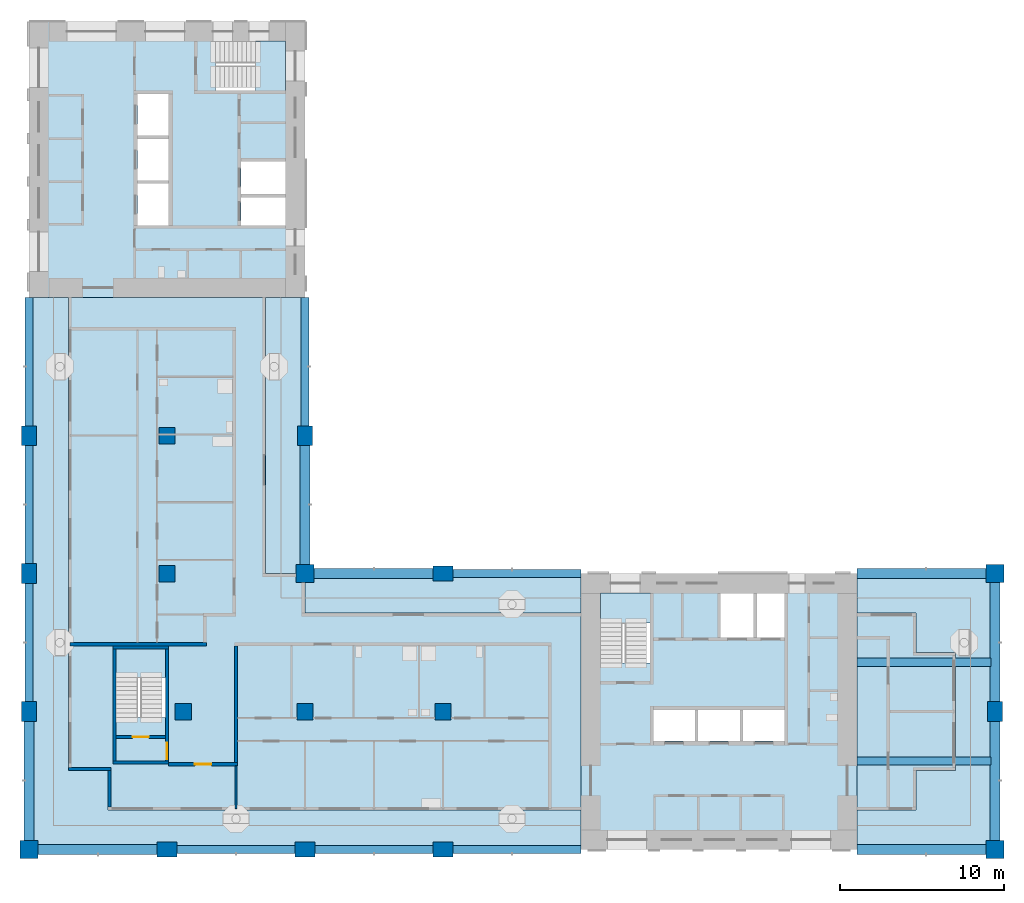
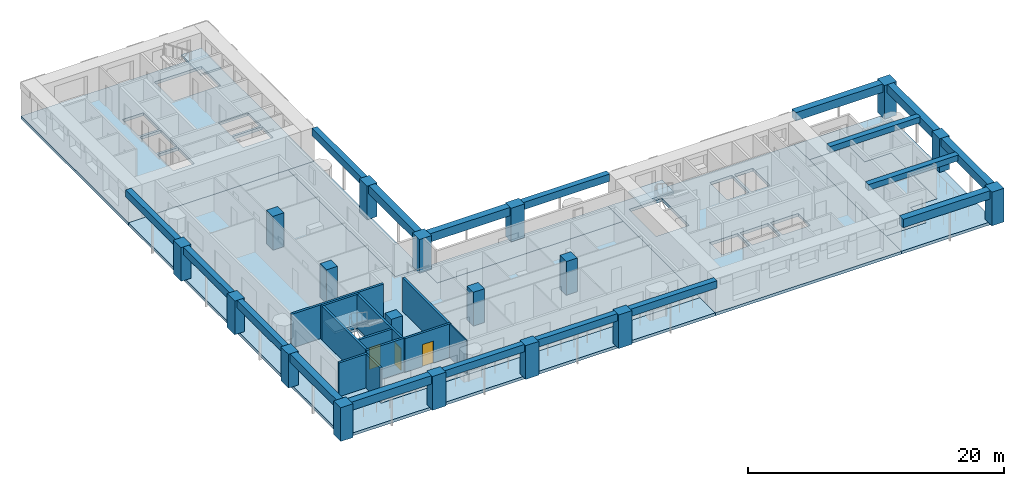
# One storey, part 1 of 13: 18 beams, 18 columns, 12 slabs, 11 walls, 3 doors, 3 openings, 3 elements without a shape of their own.
"""IFC4 building model written with IfcOpenShell, lengths in metres."""

from ifc_helpers import new_model, si_unit, direction, frame, frame_2d, origin, origin_2d, place, context, subcontext, project, spatial, polyline, rectangle, outline, extrude, material, layer, layer_set, material_profile, profile_set, type_object, element, fill, aggregate, save


model = new_model("IFC4")

# Units and contexts
model_context = context("Model", 3, precision=1e-05, world=origin(), true_north=direction((0.0, 1.0)))
body_context = subcontext(model_context, "Body", "Model", "MODEL_VIEW")
ifc_project = project(units=[si_unit("LENGTHUNIT", "METRE"), si_unit("AREAUNIT", "SQUARE_METRE"), si_unit("VOLUMEUNIT", "CUBIC_METRE"), si_unit("PLANEANGLEUNIT", "RADIAN"), si_unit("MASSUNIT", "GRAM", prefix="KILO")], contexts=[model_context])

# Site, building, storey
site_placement = place(None, origin())
site = spatial("IfcSite", under=ifc_project, at=site_placement, CompositionType="ELEMENT")
building_placement = place(site_placement, origin())
building = spatial("IfcBuilding", under=site, at=building_placement, Name="Vermilion Gate Residences", CompositionType="ELEMENT")
storey_placement = place(building_placement, frame((0.0, 0.0, 189.699951171875)))
storey = spatial("IfcBuildingStorey", under=building, at=storey_placement, Name="L49", CompositionType="ELEMENT", Elevation=189.699951171875)

# Columns
ifc_material_1 = material(Name="Concrete C60", Category="concrete")
ifc_material_profile_1 = material_profile(ifc_material_1, rectangle(XDim=1.0, YDim=1.0, at=origin_2d()), Name="RC-1000x1000")
ifc_profile_set_1 = profile_set([ifc_material_profile_1], Name="Concrete C60")
column_type_1 = type_object("IfcColumnType", Name="RC COLUMN 1000 X 1000 C60", PredefinedType="COLUMN", material=ifc_profile_set_1)
for number, where, z_axis, x_axis, name in (
    (1, (17.800048828125, 16.800048828125, 0.0), (0.0, 0.0, 1.0), (1.0, 0.0, 0.0), "Column 3-C L49"),
    (2, (16.800048828125, 25.199951171875, 0.0), (0.0, 0.0, 1.0), (1.0, 0.0, 0.0), "Column 3-D L49"),
    (3, (16.800048828125, 33.60009765625, 0.0), (0.0, 0.0, 1.0), (1.0, 0.0, 0.0), "Column 3-E L49"),
    (4, (25.199951171875, 16.800048828125, 0.0), (0.0, 0.0, 1.0), (1.0, 0.0, 0.0), "Column 4-C L49"),
    (5, (33.60009765625, 16.800048828125, 0.0), (0.0, 0.0, 1.0), (1.0, 0.0, 0.0), "Column 5-C L49"),
):
    element("IfcColumn", number, at=place(storey_placement, frame(where, z_axis=z_axis, x_axis=x_axis)), inside=storey, type_object=column_type_1, Name=name, PredefinedType="COLUMN", context=body_context, shape_type="SweptSolid", body=[
        extrude(rectangle(XDim=1.0, YDim=1.0, at=origin_2d()), origin(), (0.0, 0.0, 1.0), 3.219970703125),
    ])
ifc_material_2 = material(Name="Concrete C60", Category="concrete")
ifc_material_profile_2 = material_profile(ifc_material_2, rectangle(XDim=1.10009765625, YDim=1.10009765625, at=origin_2d()), Name="RC-1100x1100")
ifc_profile_set_2 = profile_set([ifc_material_profile_2], Name="Concrete C60")
column_type_2 = type_object("IfcColumnType", Name="RC COLUMN 1100 X 1100 C60", PredefinedType="COLUMN", material=ifc_profile_set_2)
for number, where, z_axis, x_axis, name in (
    (6, (8.39990234375, 8.39990234375, 0.0), (0.0, 0.0, 1.0), (1.0, 0.0, 0.0), "Column 2-B L49"),
    (7, (25.199951171875, 25.199951171875, 0.0), (0.0, 0.0, 1.0), (1.0, 0.0, 0.0), "Column 4-D L49"),
    (8, (67.199951171875, 8.39990234375, 0.0), (0.0, 0.0, 1.0), (1.0, 0.0, 0.0), "Column 9-B L49"),
    (9, (67.199951171875, 25.199951171875, 0.0), (0.0, 0.0, 1.0), (1.0, 0.0, 0.0), "Column 9-D L49"),
):
    element("IfcColumn", number, at=place(storey_placement, frame(where, z_axis=z_axis, x_axis=x_axis)), inside=storey, type_object=column_type_2, Name=name, PredefinedType="COLUMN", context=body_context, shape_type="SweptSolid", body=[
        extrude(rectangle(XDim=1.10009765625, YDim=1.10009765625, at=origin_2d()), origin(), (0.0, 0.0, 1.0), 3.219970703125),
    ])
ifc_material_3 = material(Name="Concrete C60", Category="concrete")
ifc_material_profile_3 = material_profile(ifc_material_3, rectangle(XDim=1.199951171875, YDim=0.89990234375, at=origin_2d()), Name="RC-1200x900")
ifc_profile_set_3 = profile_set([ifc_material_profile_3], Name="Concrete C60")
column_type_3 = type_object("IfcColumnType", Name="RC COLUMN 1200 X 900 C60", PredefinedType="COLUMN", material=ifc_profile_set_3)
for number, where, z_axis, x_axis, name in (
    (10, (8.39990234375, 16.800048828125, 0.0), (0.0, 0.0, 1.0), (0.0, 1.0, 0.0), "Column 2-C L49"),
    (11, (8.39990234375, 25.199951171875, 0.0), (0.0, 0.0, 1.0), (0.0, 1.0, 0.0), "Column 2-D L49"),
    (12, (8.39990234375, 33.60009765625, 0.0), (0.0, 0.0, 1.0), (0.0, 1.0, 0.0), "Column 2-E L49"),
    (13, (16.800048828125, 8.39990234375, 0.0), (0.0, 0.0, 1.0), (1.0, 0.0, 0.0), "Column 3-B L49"),
    (14, (25.199951171875, 8.39990234375, 0.0), (0.0, 0.0, 1.0), (1.0, 0.0, 0.0), "Column 4-B L49"),
    (15, (25.199951171875, 33.60009765625, 0.0), (0.0, 0.0, 1.0), (0.0, 1.0, 0.0), "Column 4-E L49"),
    (16, (33.60009765625, 8.39990234375, 0.0), (0.0, 0.0, 1.0), (1.0, 0.0, 0.0), "Column 5-B L49"),
    (17, (33.60009765625, 25.199951171875, 0.0), (0.0, 0.0, 1.0), (1.0, 0.0, 0.0), "Column 5-D L49"),
    (18, (67.199951171875, 16.800048828125, 0.0), (0.0, 0.0, 1.0), (0.0, 1.0, 0.0), "Column 9-C L49"),
):
    element("IfcColumn", number, at=place(storey_placement, frame(where, z_axis=z_axis, x_axis=x_axis)), inside=storey, type_object=column_type_3, Name=name, PredefinedType="COLUMN", context=body_context, shape_type="SweptSolid", body=[
        extrude(rectangle(XDim=1.199951171875, YDim=0.89990234375, at=origin_2d()), origin(), (0.0, 0.0, 1.0), 3.219970703125),
    ])

# Beams
ifc_material_4 = material(Name="Concrete C60 red-oxide pigmented", Category="concrete")
ifc_material_profile_4 = material_profile(ifc_material_4, rectangle(XDim=0.60009765625, YDim=0.800048828125, at=origin_2d()), Name="RC-600x800")
ifc_profile_set_4 = profile_set([ifc_material_profile_4], Name="Concrete C60 red-oxide pigmented")
beam_type_1 = type_object("IfcBeamType", Name="RC CORNER EDGE BEAM 600 X 800 C60", PredefinedType="BEAM", material=ifc_profile_set_4)
for number, where, z_axis, x_axis, name in (
    (19, (8.949951171875, 8.39990234375, 2.820068359375), (1.0, 0.0, 0.0), (0.0, 1.0, 0.0), "Corner edge beam L49 1"),
    (20, (8.39990234375, 8.949951171875, 2.820068359375), (0.0, 1.0, 0.0), (-1.0, 0.0, 0.0), "Corner edge beam L49 2"),
    (21, (25.199951171875, 25.75, 2.820068359375), (0.0, 1.0, 0.0), (-1.0, 0.0, 0.0), "Corner edge beam L49 7"),
    (22, (25.75, 25.199951171875, 2.820068359375), (1.0, 0.0, 0.0), (0.0, 1.0, 0.0), "Corner edge beam L49 10"),
):
    element("IfcBeam", number, at=place(storey_placement, frame(where, z_axis=z_axis, x_axis=x_axis)), inside=storey, type_object=beam_type_1, Name=name, PredefinedType="BEAM", context=body_context, shape_type="SweptSolid", body=[
        extrude(rectangle(XDim=0.60009765625, YDim=0.800048828125, at=origin_2d()), origin(), (0.0, 0.0, 1.0), 7.25),
    ])
beam_1_placement = place(storey_placement, frame((58.800048828125, 8.39990234375, 2.820068359375), z_axis=(1.0, 0.0, 0.0), x_axis=(0.0, 1.0, 0.0)))
element("IfcBeam", 23, at=beam_1_placement, inside=storey, type_object=beam_type_1, Name="Corner edge beam L49 13", PredefinedType="BEAM", context=body_context, shape_type="SweptSolid", body=[
    extrude(rectangle(XDim=0.60009765625, YDim=0.800048828125, at=origin_2d()), origin(), (0.0, 0.0, 1.0), 7.849853515625),
])
for number, where, z_axis, x_axis, name in (
    (24, (67.199951171875, 8.949951171875, 2.820068359375), (0.0, 1.0, 0.0), (-1.0, 0.0, 0.0), "Corner edge beam L49 14"),
    (25, (67.199951171875, 17.39990234375, 2.820068359375), (0.0, 1.0, 0.0), (-1.0, 0.0, 0.0), "Corner edge beam L49 15"),
):
    element("IfcBeam", number, at=place(storey_placement, frame(where, z_axis=z_axis, x_axis=x_axis)), inside=storey, type_object=beam_type_1, Name=name, PredefinedType="BEAM", context=body_context, shape_type="SweptSolid", body=[
        extrude(rectangle(XDim=0.60009765625, YDim=0.800048828125, at=origin_2d()), origin(), (0.0, 0.0, 1.0), 7.25),
    ])
beam_2_placement = place(storey_placement, frame((58.800048828125, 25.199951171875, 2.820068359375), z_axis=(1.0, 0.0, 0.0), x_axis=(0.0, 1.0, 0.0)))
element("IfcBeam", 26, at=beam_2_placement, inside=storey, type_object=beam_type_1, Name="Corner edge beam L49 16", PredefinedType="BEAM", context=body_context, shape_type="SweptSolid", body=[
    extrude(rectangle(XDim=0.60009765625, YDim=0.800048828125, at=origin_2d()), origin(), (0.0, 0.0, 1.0), 7.849853515625),
])
ifc_material_5 = material(Name="Concrete C60 red-oxide pigmented", Category="concrete")
ifc_material_profile_5 = material_profile(ifc_material_5, rectangle(XDim=0.5, YDim=0.699951171875, at=origin_2d()), Name="RC-500x700")
ifc_profile_set_5 = profile_set([ifc_material_profile_5], Name="Concrete C60 red-oxide pigmented")
beam_type_2 = type_object("IfcBeamType", Name="RC EDGE BEAM 500 X 700 C60", PredefinedType="BEAM", material=ifc_profile_set_5)
beam_3_placement = place(storey_placement, frame((8.39990234375, 17.39990234375, 2.8701171875), z_axis=(0.0, 1.0, 0.0), x_axis=(-1.0, 0.0, 0.0)))
element("IfcBeam", 27, at=beam_3_placement, inside=storey, type_object=beam_type_2, Name="Edge beam L49 3", PredefinedType="BEAM", context=body_context, shape_type="SweptSolid", body=[
    extrude(rectangle(XDim=0.5, YDim=0.699951171875, at=origin_2d()), origin(), (0.0, 0.0, 1.0), 7.2001953125),
])
beam_4_placement = place(storey_placement, frame((8.39990234375, 25.800048828125, 2.8701171875), z_axis=(0.0, 1.0, 0.0), x_axis=(-1.0, 0.0, 0.0)))
element("IfcBeam", 28, at=beam_4_placement, inside=storey, type_object=beam_type_2, Name="Edge beam L49 4", PredefinedType="BEAM", context=body_context, shape_type="SweptSolid", body=[
    extrude(rectangle(XDim=0.5, YDim=0.699951171875, at=origin_2d()), origin(), (0.0, 0.0, 1.0), 7.199951171875),
])
beam_5_placement = place(storey_placement, frame((8.39990234375, 34.199951171875, 2.8701171875), z_axis=(0.0, 1.0, 0.0), x_axis=(-1.0, 0.0, 0.0)))
element("IfcBeam", 29, at=beam_5_placement, inside=storey, type_object=beam_type_2, Name="Edge beam L49 5", PredefinedType="BEAM", context=body_context, shape_type="SweptSolid", body=[
    extrude(rectangle(XDim=0.5, YDim=0.699951171875, at=origin_2d()), origin(), (0.0, 0.0, 1.0), 7.800048828125),
])
beam_6_placement = place(storey_placement, frame((17.39990234375, 8.39990234375, 2.8701171875), z_axis=(1.0, 0.0, 0.0), x_axis=(0.0, 1.0, 0.0)))
element("IfcBeam", 30, at=beam_6_placement, inside=storey, type_object=beam_type_2, Name="Edge beam L49 6", PredefinedType="BEAM", context=body_context, shape_type="SweptSolid", body=[
    extrude(rectangle(XDim=0.5, YDim=0.699951171875, at=origin_2d()), origin(), (0.0, 0.0, 1.0), 7.2001953125),
])
beam_7_placement = place(storey_placement, frame((25.199951171875, 34.199951171875, 2.8701171875), z_axis=(0.0, 1.0, 0.0), x_axis=(-1.0, 0.0, 0.0)))
element("IfcBeam", 31, at=beam_7_placement, inside=storey, type_object=beam_type_2, Name="Edge beam L49 8", PredefinedType="BEAM", context=body_context, shape_type="SweptSolid", body=[
    extrude(rectangle(XDim=0.5, YDim=0.699951171875, at=origin_2d()), origin(), (0.0, 0.0, 1.0), 7.800048828125),
])
beam_8_placement = place(storey_placement, frame((25.800048828125, 8.39990234375, 2.8701171875), z_axis=(1.0, 0.0, 0.0), x_axis=(0.0, 1.0, 0.0)))
element("IfcBeam", 32, at=beam_8_placement, inside=storey, type_object=beam_type_2, Name="Edge beam L49 9", PredefinedType="BEAM", context=body_context, shape_type="SweptSolid", body=[
    extrude(rectangle(XDim=0.5, YDim=0.699951171875, at=origin_2d()), origin(), (0.0, 0.0, 1.0), 7.199951171875),
])
for number, where, z_axis, x_axis, name in (
    (33, (34.199951171875, 8.39990234375, 2.8701171875), (1.0, 0.0, 0.0), (0.0, 1.0, 0.0), "Edge beam L49 11"),
    (34, (34.199951171875, 25.199951171875, 2.8701171875), (1.0, 0.0, 0.0), (0.0, 1.0, 0.0), "Edge beam L49 12"),
):
    element("IfcBeam", number, at=place(storey_placement, frame(where, z_axis=z_axis, x_axis=x_axis)), inside=storey, type_object=beam_type_2, Name=name, PredefinedType="BEAM", context=body_context, shape_type="SweptSolid", body=[
        extrude(rectangle(XDim=0.5, YDim=0.699951171875, at=origin_2d()), origin(), (0.0, 0.0, 1.0), 7.800048828125),
    ])
ifc_material_6 = material(Name="Concrete C60", Category="concrete")
ifc_material_profile_6 = material_profile(ifc_material_6, rectangle(XDim=0.5, YDim=0.550048828125, at=origin_2d()), Name="RC-500x550")
ifc_profile_set_6 = profile_set([ifc_material_profile_6], Name="Concrete C60")
beam_type_3 = type_object("IfcBeamType", Name="RC WING BEAM 500 X 550 C60", PredefinedType="BEAM", material=ifc_profile_set_6)
for number, where, z_axis, x_axis, name in (
    (35, (58.800048828125, 13.800048828125, 2.945068359375), (1.0, 0.0, 0.0), (0.0, 1.0, 0.0), "Wing-end beam L49 1"),
    (36, (58.800048828125, 19.800048828125, 2.945068359375), (1.0, 0.0, 0.0), (0.0, 1.0, 0.0), "Wing-end beam L49 2"),
):
    element("IfcBeam", number, at=place(storey_placement, frame(where, z_axis=z_axis, x_axis=x_axis)), inside=storey, type_object=beam_type_3, Name=name, PredefinedType="BEAM", context=body_context, shape_type="SweptSolid", body=[
        extrude(rectangle(XDim=0.5, YDim=0.550048828125, at=origin_2d()), origin(), (0.0, 0.0, 1.0), 8.14990234375),
    ])

# Slabs
ifc_material_7 = material(Name="Concrete C50", Category="concrete")
ifc_layer_1 = layer(ifc_material_7, 0.280029296875)
ifc_layer_set_1 = layer_set([ifc_layer_1], Name="RC CORE FLOOR SLAB 280 C50")
slab_type_1 = type_object("IfcSlabType", Name="RC CORE FLOOR SLAB 280 C50", PredefinedType="FLOOR", material=ifc_layer_set_1)
slab_1_placement = place(storey_placement, frame((0.0, 0.0, -0.280029296875)))
element("IfcSlab", 37, at=slab_1_placement, inside=storey, type_object=slab_type_1, Name="Core floor slab A49", PredefinedType="FLOOR", context=body_context, shape_type="SweptSolid", body=[
    extrude(outline(polyline([(42.0, 8.39990234375), (58.800048828125, 8.39990234375), (58.800048828125, 25.199951171875), (42.0, 25.199951171875), (42.0, 8.39990234375)]), holes=[polyline([(46.39990234375, 15.0), (46.39990234375, 16.89990234375), (48.933349609375, 16.89990234375), (48.933349609375, 15.0), (46.39990234375, 15.0)]), polyline([(49.13330078125, 16.89990234375), (51.666748046875, 16.89990234375), (51.666748046875, 15.0), (49.13330078125, 15.0), (49.13330078125, 16.89990234375)]), polyline([(51.86669921875, 16.89990234375), (54.39990234375, 16.89990234375), (54.39990234375, 15.0), (51.86669921875, 15.0), (51.86669921875, 16.89990234375)]), polyline([(43.199951171875, 19.75), (43.199951171875, 24.0), (46.199951171875, 24.0), (46.199951171875, 19.75), (43.199951171875, 19.75)]), polyline([(50.5, 24.0), (52.5, 24.0), (52.5, 21.300048828125), (50.5, 21.300048828125), (50.5, 24.0)]), polyline([(52.699951171875, 24.0), (54.39990234375, 24.0), (54.39990234375, 21.300048828125), (52.699951171875, 21.300048828125), (52.699951171875, 24.0)])]), origin(), (0.0, 0.0, 1.0), 0.280029296875),
])
slab_2_placement = place(storey_placement, frame((0.0, 0.0, -0.280029296875)))
element("IfcSlab", 38, at=slab_2_placement, inside=storey, type_object=slab_type_1, Name="Core floor slab B49", PredefinedType="FLOOR", context=body_context, shape_type="SweptSolid", body=[
    extrude(outline(polyline([(8.39990234375, 42.0), (25.199951171875, 42.0), (25.199951171875, 58.800048828125), (8.39990234375, 58.800048828125), (8.39990234375, 42.0)]), holes=[polyline([(21.300048828125, 46.39990234375), (21.300048828125, 48.10009765625), (24.0, 48.10009765625), (24.0, 46.39990234375), (21.300048828125, 46.39990234375)]), polyline([(15.0, 48.933349609375), (16.89990234375, 48.933349609375), (16.89990234375, 46.39990234375), (15.0, 46.39990234375), (15.0, 48.933349609375)]), polyline([(21.300048828125, 50.300048828125), (24.0, 50.300048828125), (24.0, 48.300048828125), (21.300048828125, 48.300048828125), (21.300048828125, 50.300048828125)]), polyline([(15.0, 49.13330078125), (15.0, 51.666748046875), (16.89990234375, 51.666748046875), (16.89990234375, 49.13330078125), (15.0, 49.13330078125)]), polyline([(15.0, 54.39990234375), (16.89990234375, 54.39990234375), (16.89990234375, 51.86669921875), (15.0, 51.86669921875), (15.0, 54.39990234375)]), polyline([(19.75, 57.60009765625), (24.0, 57.60009765625), (24.0, 54.60009765625), (19.75, 54.60009765625), (19.75, 57.60009765625)])]), origin(), (0.0, 0.0, 1.0), 0.280029296875),
])
slab_3_placement = place(storey_placement, frame((0.0, 0.0, -0.280029296875)))
element("IfcSlab", 39, at=slab_3_placement, inside=storey, type_object=slab_type_1, Name="Apex stair floor slab 49", PredefinedType="FLOOR", context=body_context, shape_type="SweptSolid", body=[
    extrude(outline(polyline([(13.5, 13.60009765625), (16.89990234375, 13.60009765625), (16.89990234375, 20.800048828125), (13.5, 20.800048828125), (13.5, 13.60009765625)]), holes=[polyline([(16.699951171875, 20.60009765625), (16.699951171875, 16.449951171875), (13.699951171875, 16.449951171875), (13.699951171875, 20.60009765625), (16.699951171875, 20.60009765625)])]), origin(), (0.0, 0.0, 1.0), 0.280029296875),
])
ifc_material_8 = material(Name="Concrete C50", Category="concrete")
ifc_layer_2 = layer(ifc_material_8, 0.280029296875)
ifc_layer_set_2 = layer_set([ifc_layer_2], Name="RC FLAT PLATE 280 C50")
slab_type_2 = type_object("IfcSlabType", Name="RC FLAT PLATE 280 C50", PredefinedType="FLOOR", material=ifc_layer_set_2)
slab_4_placement = place(storey_placement, frame((0.0, 0.0, -0.280029296875)))
element("IfcSlab", 40, at=slab_4_placement, inside=storey, type_object=slab_type_2, Name="Floor slab L49", PredefinedType="FLOOR", context=body_context, shape_type="SweptSolid", body=[
    extrude(outline(polyline([(22.800048828125, 25.199951171875), (22.800048828125, 42.0), (10.800048828125, 42.0), (10.800048828125, 13.199951171875), (13.199951171875, 13.199951171875), (13.199951171875, 10.800048828125), (42.0, 10.800048828125), (42.0, 22.800048828125), (25.199951171875, 22.800048828125), (25.199951171875, 25.199951171875), (22.800048828125, 25.199951171875)]), holes=[polyline([(13.5, 13.60009765625), (13.5, 20.800048828125), (16.89990234375, 20.800048828125), (16.89990234375, 13.60009765625), (13.5, 13.60009765625)])]), origin(), (0.0, 0.0, 1.0), 0.280029296875),
])
slab_5_placement = place(storey_placement, frame((0.0, 0.0, -0.280029296875)))
element("IfcSlab", 41, at=slab_5_placement, inside=storey, type_object=slab_type_2, Name="Floor slab L49", PredefinedType="FLOOR", context=body_context, shape_type="SweptSolid", body=[
    extrude(outline(polyline([(58.800048828125, 22.800048828125), (58.800048828125, 10.800048828125), (62.39990234375, 10.800048828125), (62.39990234375, 13.199951171875), (64.800048828125, 13.199951171875), (64.800048828125, 20.39990234375), (62.39990234375, 20.39990234375), (62.39990234375, 22.800048828125), (58.800048828125, 22.800048828125)])), origin(), (0.0, 0.0, 1.0), 0.280029296875),
])
ifc_material_9 = material(Name="Concrete C50 red-oxide pigmented", Category="concrete")
ifc_layer_3 = layer(ifc_material_9, 0.280029296875)
ifc_layer_set_3 = layer_set([ifc_layer_3], Name="RC LOGGIA SLAB 280 C50")
slab_type_3 = type_object("IfcSlabType", Name="RC LOGGIA SLAB 280 C50", PredefinedType="FLOOR", material=ifc_layer_set_3)
slab_6_placement = place(storey_placement, frame((0.0, 0.0, -0.280029296875)))
element("IfcSlab", 42, at=slab_6_placement, inside=storey, type_object=slab_type_3, Name="Loggia slab L49", PredefinedType="FLOOR", context=body_context, shape_type="SweptSolid", body=[
    extrude(outline(polyline([(8.39990234375, 42.0), (8.39990234375, 8.39990234375), (42.0, 8.39990234375), (42.0, 10.800048828125), (13.199951171875, 10.800048828125), (13.199951171875, 13.199951171875), (10.800048828125, 13.199951171875), (10.800048828125, 42.0), (8.39990234375, 42.0)])), origin(), (0.0, 0.0, 1.0), 0.280029296875),
])
slab_7_placement = place(storey_placement, frame((0.0, 0.0, -0.280029296875)))
element("IfcSlab", 43, at=slab_7_placement, inside=storey, type_object=slab_type_3, Name="Loggia slab L49", PredefinedType="FLOOR", context=body_context, shape_type="SweptSolid", body=[
    extrude(outline(polyline([(64.800048828125, 13.199951171875), (62.39990234375, 13.199951171875), (62.39990234375, 10.800048828125), (58.800048828125, 10.800048828125), (58.800048828125, 8.39990234375), (67.199951171875, 8.39990234375), (67.199951171875, 25.199951171875), (58.800048828125, 25.199951171875), (58.800048828125, 22.800048828125), (62.39990234375, 22.800048828125), (62.39990234375, 20.39990234375), (64.800048828125, 20.39990234375), (64.800048828125, 13.199951171875)])), origin(), (0.0, 0.0, 1.0), 0.280029296875),
])
slab_8_placement = place(storey_placement, frame((0.0, 0.0, -0.280029296875)))
element("IfcSlab", 44, at=slab_8_placement, inside=storey, type_object=slab_type_3, Name="Loggia slab L49", PredefinedType="FLOOR", context=body_context, shape_type="SweptSolid", body=[
    extrude(outline(polyline([(42.0, 25.199951171875), (25.199951171875, 25.199951171875), (25.199951171875, 22.800048828125), (42.0, 22.800048828125), (42.0, 25.199951171875)])), origin(), (0.0, 0.0, 1.0), 0.280029296875),
])
slab_9_placement = place(storey_placement, frame((0.0, 0.0, -0.280029296875)))
element("IfcSlab", 45, at=slab_9_placement, inside=storey, type_object=slab_type_3, Name="Loggia slab L49", PredefinedType="FLOOR", context=body_context, shape_type="SweptSolid", body=[
    extrude(outline(polyline([(22.800048828125, 42.0), (22.800048828125, 25.199951171875), (25.199951171875, 25.199951171875), (25.199951171875, 42.0), (22.800048828125, 42.0)])), origin(), (0.0, 0.0, 1.0), 0.280029296875),
])

# Stair, slab
ifc_material_10 = material(Name="Concrete C50", Category="concrete")
stair_type = type_object("IfcStairType", Name="SPECIAL ESCAPE STAIR 1300", PredefinedType="HALF_TURN_STAIR", material=ifc_material_10)
stair_1_placement = place(storey_placement, origin())
stair_1 = element("IfcStair", 46, at=stair_1_placement, inside=storey, type_object=stair_type, Name="Special escape stair STA1-49", PredefinedType="HALF_TURN_STAIR")
ifc_material_11 = material(Name="Concrete C50", Category="concrete")
ifc_layer_4 = layer(ifc_material_11, 0.199951171875)
ifc_layer_set_4 = layer_set([ifc_layer_4], Name="STAIR LANDING 200 C50")
slab_type_4 = type_object("IfcSlabType", Name="STAIR LANDING 200 C50", PredefinedType="LANDING", material=ifc_layer_set_4)
slab_10_placement = place(storey_placement, frame((0.0, 0.0, 1.550048828125)))
slab_10 = element("IfcSlab", 47, at=slab_10_placement, type_object=slab_type_4, Name="STA1-49 landing 1", PredefinedType="LANDING", context=body_context, shape_type="SweptSolid", body=[
    extrude(outline(polyline([(46.219970703125, 22.179931640625), (46.219970703125, 24.02001953125), (43.179931640625, 24.02001953125), (43.179931640625, 22.179931640625), (46.219970703125, 22.179931640625)])), origin(), (0.0, 0.0, 1.0), 0.199951171875),
])
aggregate(stair_1, [slab_10])

stair_2_placement = place(storey_placement, origin())
stair_2 = element("IfcStair", 48, at=stair_2_placement, inside=storey, type_object=stair_type, Name="Special escape stair STB1-49", PredefinedType="HALF_TURN_STAIR")
slab_11_placement = place(storey_placement, frame((0.0, 0.0, 1.550048828125)))
slab_11 = element("IfcSlab", 49, at=slab_11_placement, type_object=slab_type_4, Name="STB1-49 landing 1", PredefinedType="LANDING", context=body_context, shape_type="SweptSolid", body=[
    extrude(outline(polyline([(24.02001953125, 54.580078125), (24.02001953125, 57.6201171875), (22.179931640625, 57.6201171875), (22.179931640625, 54.580078125), (24.02001953125, 54.580078125)])), origin(), (0.0, 0.0, 1.0), 0.199951171875),
])
aggregate(stair_2, [slab_11])

stair_3_placement = place(storey_placement, origin())
stair_3 = element("IfcStair", 50, at=stair_3_placement, inside=storey, type_object=stair_type, Name="Special escape stair STC1-49", PredefinedType="HALF_TURN_STAIR")
slab_12_placement = place(storey_placement, frame((0.0, 0.0, 1.550048828125)))
slab_12 = element("IfcSlab", 51, at=slab_12_placement, type_object=slab_type_4, Name="STC1-49 landing 1", PredefinedType="LANDING", context=body_context, shape_type="SweptSolid", body=[
    extrude(outline(polyline([(16.719970703125, 18.8798828125), (16.719970703125, 20.6201171875), (13.679931640625, 20.6201171875), (13.679931640625, 18.8798828125), (16.719970703125, 18.8798828125)])), origin(), (0.0, 0.0, 1.0), 0.199951171875),
])
aggregate(stair_3, [slab_12])

# Walls
ifc_material_12 = material(Name="Insulated steel stud wall with terracotta rainscreen", Category="masonry")
ifc_layer_5 = layer(ifc_material_12, 0.199951171875)
ifc_layer_set_5 = layer_set([ifc_layer_5], Name="EXTERNAL WALL 200 TERRACOTTA RAINSCREEN")
wall_type_1 = type_object("IfcWallType", Name="EXTERNAL WALL 200 TERRACOTTA RAINSCREEN", PredefinedType="SOLIDWALL", material=ifc_layer_set_5)
wall_1_placement = place(storey_placement, frame((10.800048828125, 13.300048828125, 0.0), z_axis=(0.0, 0.0, 1.0), x_axis=(1.0, 0.0, 0.0)))
element("IfcWall", 52, at=wall_1_placement, inside=storey, type_object=wall_type_1, Name="External wall", PredefinedType="SOLIDWALL", context=body_context, shape_type="SweptSolid", body=[
    extrude(rectangle(XDim=2.599853515625, YDim=0.199951171875, at=frame_2d((1.2998046875, 0.0))), origin(), (0.0, 0.0, 1.0), 3.219970703125),
])
wall_2_placement = place(storey_placement, frame((13.300048828125, 13.199951171875, 0.0), z_axis=(0.0, 0.0, 1.0), x_axis=(0.0, -1.0, 0.0)))
element("IfcWall", 53, at=wall_2_placement, inside=storey, type_object=wall_type_1, Name="External wall", PredefinedType="SOLIDWALL", context=body_context, shape_type="SweptSolid", body=[
    extrude(rectangle(XDim=2.199951171875, YDim=0.199951171875, at=frame_2d((1.10009765625, 0.0))), origin(), (0.0, 0.0, 1.0), 3.219970703125),
])
ifc_material_13 = material(Name="Plasterboard on steel studs", Category="steel")
ifc_layer_6 = layer(ifc_material_13, 0.10009765625)
ifc_layer_set_6 = layer_set([ifc_layer_6], Name="PARTITION 100")
wall_type_2 = type_object("IfcWallType", Name="PARTITION 100", PredefinedType="PARTITIONING", material=ifc_layer_set_6)
wall_3_placement = place(storey_placement, frame((21.0, 10.89990234375, 0.0), z_axis=(0.0, 0.0, 1.0), x_axis=(0.0, 1.0, 0.0)))
element("IfcWall", 54, at=wall_3_placement, inside=storey, type_object=wall_type_2, Name="Partition", PredefinedType="PARTITIONING", context=body_context, shape_type="SweptSolid", body=[
    extrude(rectangle(XDim=2.60009765625, YDim=0.10009765625, at=frame_2d((1.300048828125, 0.0))), origin(), (0.0, 0.0, 1.0), 3.219970703125),
])

# Wall, opening, door
ifc_material_14 = material(Name="Fire-rated plasterboard on steel studs", Category="steel")
ifc_layer_7 = layer(ifc_material_14, 0.199951171875)
ifc_layer_set_7 = layer_set([ifc_layer_7], Name="PARTY WALL 200 EI 120")
wall_type_3 = type_object("IfcWallType", Name="PARTY WALL 200 EI 120", PredefinedType="PARTITIONING", material=ifc_layer_set_7)
wall_4_placement = place(storey_placement, frame((16.89990234375, 13.60009765625, 0.0), z_axis=(0.0, 0.0, 1.0), x_axis=(1.0, 0.0, 0.0)))
wall_4 = element("IfcWall", 55, at=wall_4_placement, inside=storey, type_object=wall_type_3, Name="Party and corridor wall", PredefinedType="PARTITIONING", context=body_context, shape_type="SweptSolid", body=[
    extrude(rectangle(XDim=4.2001953125, YDim=0.199951171875, at=frame_2d((2.10009765625, 0.0))), origin(), (0.0, 0.0, 1.0), 3.219970703125),
])
opening_1_placement = place(wall_4_placement, frame((1.60009765625, 0.0, 0.0)))
opening_1 = element("IfcOpeningElement", 56, at=opening_1_placement, cuts=wall_4, Name="Opening DA49001", PredefinedType="OPENING", context=body_context, shape_type="SweptSolid", body=[
    extrude(rectangle(XDim=1.0, YDim=2.10009765625, at=frame_2d((0.5, 1.050048828125))), frame((0.0, 0.10986328125, 0.0), z_axis=(0.0, -1.0, 0.0), x_axis=(1.0, 0.0, 0.0)), (0.0, 0.0, 1.0), 0.219970703125),
])
ifc_material_15 = material(Name="Steel", Category="steel")
door_type_1 = type_object("IfcDoorType", Name="ENTRANCE DOOR 1000 X 2100 FD30", OperationType="SINGLE_SWING_LEFT", PredefinedType="DOOR", material=ifc_material_15)
door_1_placement = place(opening_1_placement, frame((1.0, 0.0, 0.0), z_axis=(0.0, 0.0, 1.0), x_axis=(-1.0, 0.0, 0.0)))
door_1 = element("IfcDoor", 57, at=door_1_placement, inside=storey, type_object=door_type_1, Name="Entrance door", OperationType="SINGLE_SWING_LEFT", OverallHeight=2.10009765625, OverallWidth=1.0, PredefinedType="DOOR", context=body_context, shape_type="SweptSolid", body=[
    extrude(rectangle(XDim=1.0, YDim=2.10009765625, at=frame_2d((0.5, 1.050048828125))), frame((0.0, 0.02490234375, 0.0), z_axis=(0.0, -1.0, 0.0), x_axis=(1.0, 0.0, 0.0)), (0.0, 0.0, 1.0), 0.050048828125),
])
fill(opening_1, door_1)

# Walls
wall_5_placement = place(storey_placement, frame((10.89990234375, 20.89990234375, 0.0), z_axis=(0.0, 0.0, 1.0), x_axis=(1.0, 0.0, 0.0)))
element("IfcWall", 58, at=wall_5_placement, inside=storey, type_object=wall_type_3, Name="Party and corridor wall", PredefinedType="PARTITIONING", context=body_context, shape_type="SweptSolid", body=[
    extrude(rectangle(XDim=8.300048828125, YDim=0.199951171875, at=frame_2d((4.14990234375, 0.0))), origin(), (0.0, 0.0, 1.0), 3.219970703125),
])
wall_6_placement = place(storey_placement, frame((21.0, 13.699951171875, 0.0), z_axis=(0.0, 0.0, 1.0), x_axis=(0.0, 1.0, 0.0)))
element("IfcWall", 59, at=wall_6_placement, inside=storey, type_object=wall_type_3, Name="Party and corridor wall", PredefinedType="PARTITIONING", context=body_context, shape_type="SweptSolid", body=[
    extrude(rectangle(XDim=7.10009765625, YDim=0.199951171875, at=frame_2d((3.550048828125, 0.0))), origin(), (0.0, 0.0, 1.0), 3.219970703125),
])
ifc_material_16 = material(Name="Concrete C60", Category="concrete")
ifc_layer_8 = layer(ifc_material_16, 0.199951171875)
ifc_layer_set_8 = layer_set([ifc_layer_8], Name="RC CORE INTERNAL WALL 200 C60")
wall_type_4 = type_object("IfcWallType", Name="RC CORE INTERNAL WALL 200 C60", PredefinedType="SHEAR", material=ifc_layer_set_8)
wall_7_placement = place(storey_placement, frame((13.60009765625, 13.800048828125, 0.0), z_axis=(0.0, 0.0, 1.0), x_axis=(0.0, 1.0, 0.0)))
element("IfcWall", 60, at=wall_7_placement, inside=storey, type_object=wall_type_4, Name="Core internal wall C49-W", PredefinedType="SHEAR", context=body_context, shape_type="SweptSolid", body=[
    extrude(rectangle(XDim=6.800048828125, YDim=0.199951171875, at=frame_2d((3.39990234375, 0.0))), origin(), (0.0, 0.0, 1.0), 3.219970703125),
])

# Wall, opening, door
wall_8_placement = place(storey_placement, frame((16.800048828125, 13.800048828125, 0.0), z_axis=(0.0, 0.0, 1.0), x_axis=(0.0, 1.0, 0.0)))
wall_8 = element("IfcWall", 61, at=wall_8_placement, inside=storey, type_object=wall_type_4, Name="Core internal wall C49-E", PredefinedType="SHEAR", context=body_context, shape_type="SweptSolid", body=[
    extrude(rectangle(XDim=6.800048828125, YDim=0.199951171875, at=frame_2d((3.39990234375, 0.0))), origin(), (0.0, 0.0, 1.0), 3.219970703125),
])
opening_2_placement = place(wall_8_placement, frame((0.10009765625, 0.0, 0.0)))
opening_2 = element("IfcOpeningElement", 62, at=opening_2_placement, cuts=wall_8, Name="Opening DK49201", PredefinedType="OPENING", context=body_context, shape_type="SweptSolid", body=[
    extrude(rectangle(XDim=1.0, YDim=2.10009765625, at=frame_2d((0.5, 1.050048828125))), frame((0.0, 0.10986328125, 0.0), z_axis=(0.0, -1.0, 0.0), x_axis=(1.0, 0.0, 0.0)), (0.0, 0.0, 1.0), 0.219970703125),
])
ifc_material_17 = material(Name="Steel", Category="steel")
door_type_2 = type_object("IfcDoorType", Name="FIRE DOOR FD60 1000 X 2100", OperationType="SINGLE_SWING_LEFT", PredefinedType="DOOR", material=ifc_material_17)
door_2_placement = place(opening_2_placement, frame((1.0, 0.0, 0.0), z_axis=(0.0, 0.0, 1.0), x_axis=(-1.0, 0.0, 0.0)))
door_2 = element("IfcDoor", 63, at=door_2_placement, inside=storey, type_object=door_type_2, Name="Stair vestibule door C49", OperationType="SINGLE_SWING_RIGHT", OverallHeight=2.10009765625, OverallWidth=1.0, PredefinedType="DOOR", context=body_context, shape_type="SweptSolid", body=[
    extrude(rectangle(XDim=1.0, YDim=2.10009765625, at=frame_2d((0.5, 1.050048828125))), frame((0.0, 0.02490234375, 0.0), z_axis=(0.0, -1.0, 0.0), x_axis=(1.0, 0.0, 0.0)), (0.0, 0.0, 1.0), 0.050048828125),
])
fill(opening_2, door_2)

# Walls
for number, where, z_axis, x_axis, name in (
    (64, (13.5, 13.699951171875, 0.0), (0.0, 0.0, 1.0), (1.0, 0.0, 0.0), "Core internal wall C49-S"),
    (65, (13.5, 20.699951171875, 0.0), (0.0, 0.0, 1.0), (1.0, 0.0, 0.0), "Core internal wall C49-N"),
):
    element("IfcWall", number, at=place(storey_placement, frame(where, z_axis=z_axis, x_axis=x_axis)), inside=storey, type_object=wall_type_4, Name=name, PredefinedType="SHEAR", context=body_context, shape_type="SweptSolid", body=[
        extrude(rectangle(XDim=3.39990234375, YDim=0.199951171875, at=frame_2d((1.699951171875, 0.0))), origin(), (0.0, 0.0, 1.0), 3.219970703125),
    ])

# Wall, opening, door
wall_9_placement = place(storey_placement, frame((13.699951171875, 15.25, 0.0), z_axis=(0.0, 0.0, 1.0), x_axis=(1.0, 0.0, 0.0)))
wall_9 = element("IfcWall", 66, at=wall_9_placement, inside=storey, type_object=wall_type_4, Name="Core internal wall C49-P", PredefinedType="SHEAR", context=body_context, shape_type="SweptSolid", body=[
    extrude(rectangle(XDim=3.0, YDim=0.199951171875, at=frame_2d((1.5, 0.0))), origin(), (0.0, 0.0, 1.0), 3.219970703125),
])
opening_3_placement = place(wall_9_placement, frame((1.0, 0.0, 0.0)))
opening_3 = element("IfcOpeningElement", 67, at=opening_3_placement, cuts=wall_9, Name="Opening DK49202", PredefinedType="OPENING", context=body_context, shape_type="SweptSolid", body=[
    extrude(rectangle(XDim=1.0, YDim=2.10009765625, at=frame_2d((0.5, 1.050048828125))), frame((0.0, 0.10986328125, 0.0), z_axis=(0.0, -1.0, 0.0), x_axis=(1.0, 0.0, 0.0)), (0.0, 0.0, 1.0), 0.219970703125),
])
door_3_placement = place(opening_3_placement, origin())
door_3 = element("IfcDoor", 68, at=door_3_placement, inside=storey, type_object=door_type_2, Name="Stair door C49", OperationType="SINGLE_SWING_LEFT", OverallHeight=2.10009765625, OverallWidth=1.0, PredefinedType="DOOR", context=body_context, shape_type="SweptSolid", body=[
    extrude(rectangle(XDim=1.0, YDim=2.10009765625, at=frame_2d((0.5, 1.050048828125))), frame((0.0, 0.02490234375, 0.0), z_axis=(0.0, -1.0, 0.0), x_axis=(1.0, 0.0, 0.0)), (0.0, 0.0, 1.0), 0.050048828125),
])
fill(opening_3, door_3)

save(model, "model.ifc")
